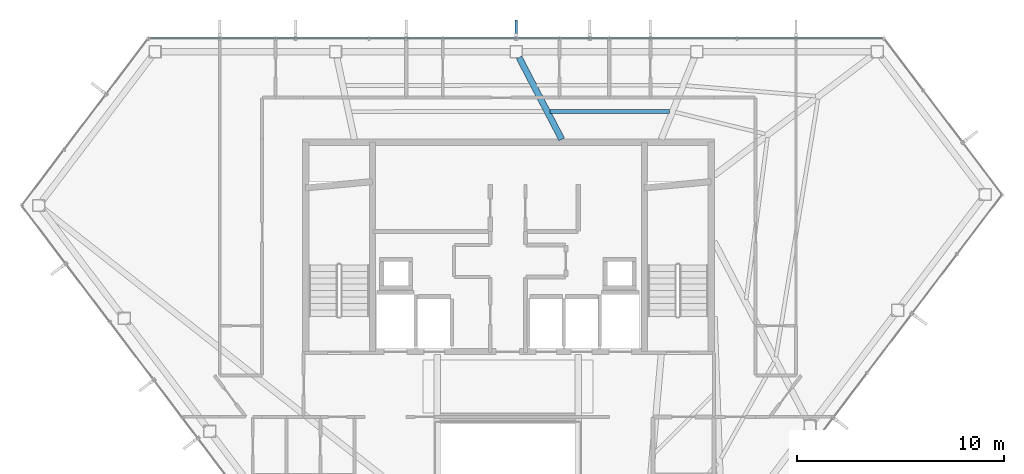
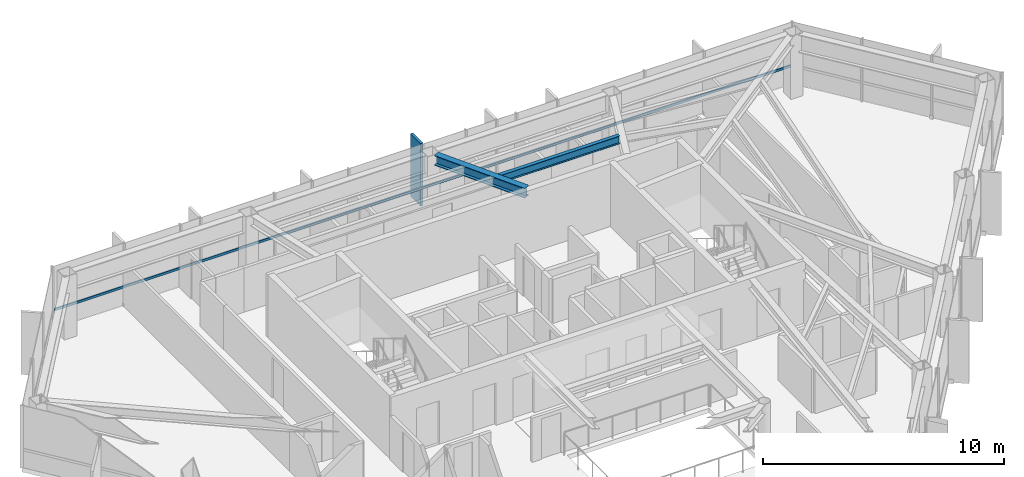
# One storey, part 12 of 25: 2 beams, 2 members, 1 element without a shape of its own.
"""IFC4 building model written with IfcOpenShell, lengths in metres."""

from ifc_helpers import new_model, si_unit, direction, frame, origin, origin_2d, place, context, subcontext, project, spatial, rectangle, hollow_rectangle, i_section, extrude, material, layer, layer_set, material_profile, profile_set, type_object, element, aggregate, save


model = new_model("IFC4")

# Units and contexts
model_context = context("Model", 3, precision=1e-05, world=origin(), true_north=direction((0.0, 1.0)))
body_context = subcontext(model_context, "Body", "Model", "MODEL_VIEW")
ifc_project = project(units=[si_unit("LENGTHUNIT", "METRE"), si_unit("AREAUNIT", "SQUARE_METRE"), si_unit("VOLUMEUNIT", "CUBIC_METRE"), si_unit("PLANEANGLEUNIT", "RADIAN"), si_unit("MASSUNIT", "GRAM", prefix="KILO")], contexts=[model_context])

# Site, building, storey
site_placement = place(None, origin())
site = spatial("IfcSite", under=ifc_project, at=site_placement, CompositionType="ELEMENT")
building_placement = place(site_placement, origin())
building = spatial("IfcBuilding", under=site, at=building_placement, Name="Zarrinselat Tower", CompositionType="ELEMENT")
storey_placement = place(building_placement, frame((0.0, 0.0, 212.159912109375)))
storey = spatial("IfcBuildingStorey", under=building, at=storey_placement, Name="L52", CompositionType="ELEMENT", Elevation=212.159912109375)

# Beams
ifc_material_1 = material(Name="Steel S355J2", Category="steel")
ifc_material_profile_1 = material_profile(ifc_material_1, i_section(OverallWidth=0.300048828125, OverallDepth=0.5, WebThickness=0.014404296875, FlangeThickness=0.028076171875, at=origin_2d()), Name="HEB 500")
ifc_profile_set_1 = profile_set([ifc_material_profile_1], Name="Steel S355J2")
beam_type_1 = type_object("IfcBeamType", Name="BM-HEB500", PredefinedType="BEAM", material=ifc_profile_set_1)
beam_1_placement = place(storey_placement, frame((38.94140625, 47.4931640625, 2.93017578125), z_axis=(0.461876966874, -0.886944004699, 0.0), x_axis=(0.886944004699, 0.461876966874, 0.0)))
element("IfcBeam", 1, at=beam_1_placement, inside=storey, type_object=beam_type_1, Name="L52 Radial Primary Girder RG03", PredefinedType="BEAM", context=body_context, shape_type="SweptSolid", body=[
    extrude(i_section(OverallWidth=0.300048828125, OverallDepth=0.5, WebThickness=0.014404296875, FlangeThickness=0.028076171875, at=origin_2d()), origin(), (0.0, 0.0, 1.0), 4.45703125),
])
ifc_material_2 = material(Name="Steel S355J2", Category="steel")
ifc_material_profile_2 = material_profile(ifc_material_2, i_section(OverallWidth=0.179931640625, OverallDepth=0.39990234375, WebThickness=0.008544921875, FlangeThickness=0.013427734375, at=origin_2d()), Name="IPE 400")
ifc_profile_set_2 = profile_set([ifc_material_profile_2], Name="Steel S355J2")
beam_type_2 = type_object("IfcBeamType", Name="BM-IPE400", PredefinedType="JOIST", material=ifc_profile_set_2)
beam_2_placement = place(storey_placement, frame((40.440185546875, 44.884033203125, 2.97998046875), z_axis=(0.999999770259, -0.000677851056, 0.0), x_axis=(0.000677851056, 0.999999770259, 0.0)))
element("IfcBeam", 2, at=beam_2_placement, inside=storey, type_object=beam_type_2, Name="L52 Composite Floor Joist 7-2", PredefinedType="JOIST", context=body_context, shape_type="SweptSolid", body=[
    extrude(i_section(OverallWidth=0.179931640625, OverallDepth=0.39990234375, WebThickness=0.008544921875, FlangeThickness=0.013427734375, at=origin_2d()), origin(), (0.0, 0.0, 1.0), 5.7626953125),
])

# Curtain wall, members
ifc_material_3 = material(Name="Extruded Aluminium Alloy EN AW-6063 T6", Category="aluminium")
ifc_layer = layer(ifc_material_3, 0.169921875)
ifc_layer_set = layer_set([ifc_layer], Name="Extruded Aluminium Alloy EN AW-6063 T6")
curtain_wall_type = type_object("IfcCurtainWallType", Name="CWS-RES", PredefinedType="NOTDEFINED", material=ifc_layer_set)
curtain_wall_placement = place(storey_placement, origin())
curtain_wall = element("IfcCurtainWall", 3, at=curtain_wall_placement, inside=storey, type_object=curtain_wall_type, Name="L52 Unitised Curtain Wall CW-L52-E01", PredefinedType="NOTDEFINED")
ifc_material_4 = material(Name="Extruded Aluminium Alloy EN AW-6063 T6", Category="aluminium")
ifc_material_profile_3 = material_profile(ifc_material_4, hollow_rectangle(XDim=0.06005859375, YDim=0.1201171875, WallThickness=0.00390625, at=origin_2d()), Name="RHS 120x60x4")
ifc_profile_set_3 = profile_set([ifc_material_profile_3], Name="Extruded Aluminium Alloy EN AW-6063 T6")
member_type_1 = type_object("IfcMemberType", Name="MEM-CW-TRN2", PredefinedType="USERDEFINED", material=ifc_profile_set_3)
member_1_placement = place(storey_placement, frame((56.451171875, 48.4111328125, 0.9501953125), z_axis=(-1.0, 0.0, 0.0), x_axis=(0.0, -1.0, 0.0)))
member_1 = element("IfcMember", 4, at=member_1_placement, type_object=member_type_1, Name="CW-L52-E01 Transom 1", ObjectType="TRANSOM", PredefinedType="USERDEFINED", context=body_context, shape_type="SweptSolid", body=[
    extrude(hollow_rectangle(XDim=0.06005859375, YDim=0.1201171875, WallThickness=0.00390625, at=origin_2d()), origin(), (0.0, 0.0, 1.0), 35.298583984375),
])
ifc_material_5 = material(Name="Honed Cream Travertine Stone", Category="masonry")
ifc_material_profile_4 = material_profile(ifc_material_5, rectangle(XDim=0.1201171875, YDim=0.85009765625, at=origin_2d()), Name="FIN 850x120")
ifc_profile_set_4 = profile_set([ifc_material_profile_4], Name="Honed Cream Travertine Stone")
member_type_2 = type_object("IfcMemberType", Name="MEM-STONE-FIN", PredefinedType="USERDEFINED", material=ifc_profile_set_4)
member_2_placement = place(storey_placement, frame((38.802001953125, 48.87109375, 0.0), z_axis=(0.0, 0.0, 1.0), x_axis=(1.0, 0.0, 0.0)))
member_2 = element("IfcMember", 5, at=member_2_placement, type_object=member_type_2, Name="L52 Stone Shading Fin CW-L52-E01-07", ObjectType="FIN", PredefinedType="USERDEFINED", context=body_context, shape_type="SweptSolid", body=[
    extrude(rectangle(XDim=0.1201171875, YDim=0.85009765625, at=origin_2d()), origin(), (0.0, 0.0, 1.0), 3.18017578125),
])
aggregate(curtain_wall, [member_2, member_1])

save(model, "model.ifc")
